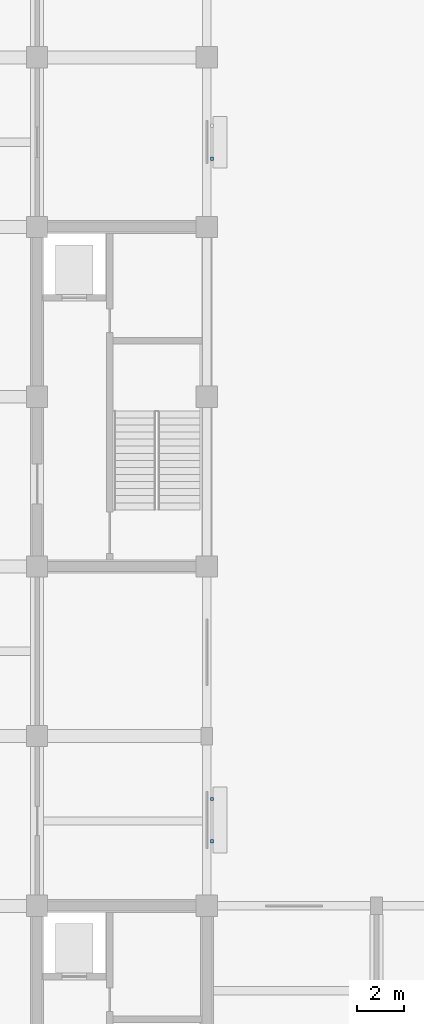
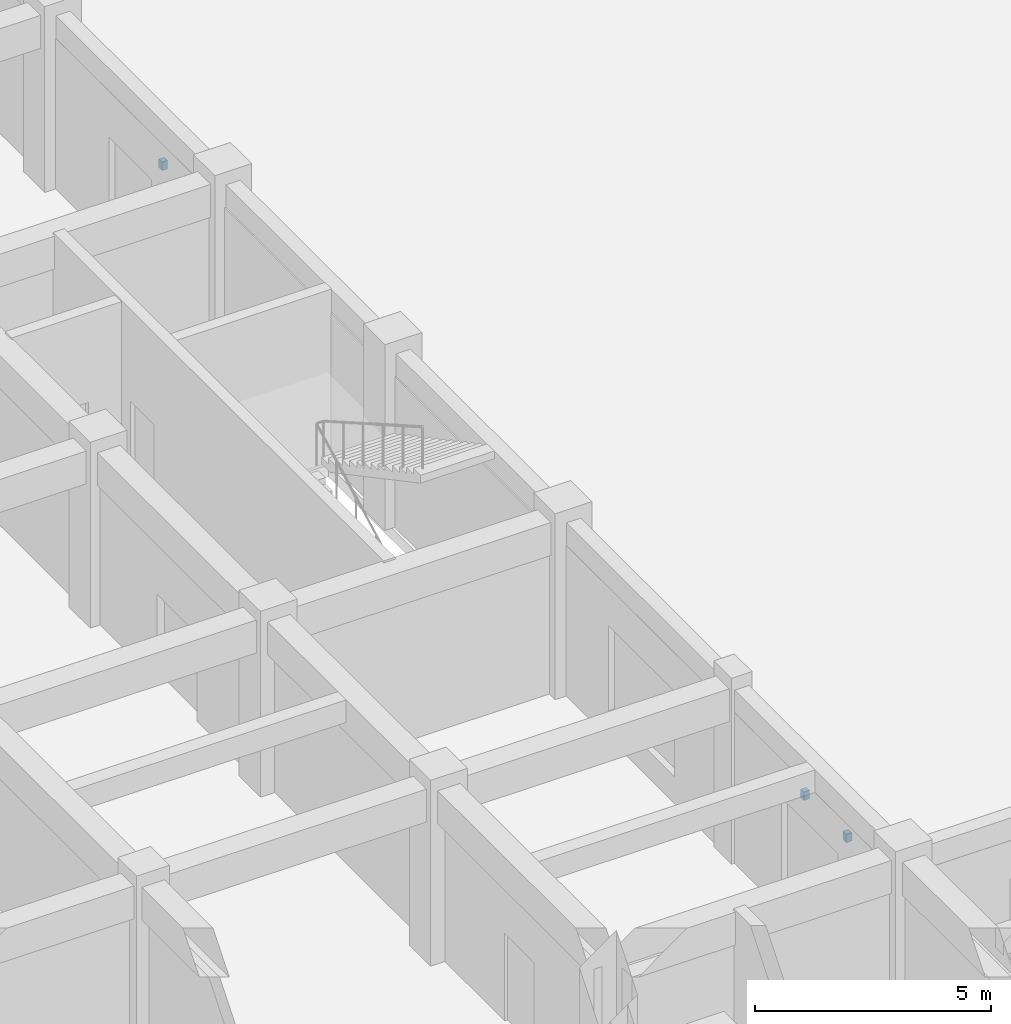
# One storey, part 27 of 37: 3 discrete accessories.
"""IFC4 building model written with IfcOpenShell, lengths in metres."""

import ifcopenshell
import ifcopenshell.guid

model = None  # the IFC model being written
_history = None  # IfcOwnerHistory: only IFC2X3 demands one
_inside = {}  # id of a spatial element -> (the spatial element, [elements in it])
_under = {}  # id of a project, library or spatial element -> (it, [spatial elements below it])
_declared = {}  # id of a project -> (the project, [libraries it declares])
_typed = {}  # id of a type object -> (the type object, [elements of that type])
_made_of = {}  # id of a material, layer set ... -> (it, [elements and type objects made of it])


def new_model(schema):
    """Start an empty IFC model of exactly this schema.

    Asked for "IFC4X3", IfcOpenShell would pick the latest addendum, in which some entities
    have other attributes; the version numbers below select the first issue.
    IFC2X3 requires an IfcOwnerHistory on every rooted entity: one is made here for all.
    """
    global model, _history
    if schema == "IFC4X3":
        model = ifcopenshell.file(schema_version=(4, 3, 0, 0))
    else:
        model = ifcopenshell.file(schema=schema)
    _inside.clear()
    _under.clear()
    _declared.clear()
    _typed.clear()
    _made_of.clear()
    _history = None
    if model.schema == "IFC2X3":
        org = make("IfcOrganization", Name="unknown")
        user = make(
            "IfcPersonAndOrganization",
            ThePerson=make("IfcPerson", FamilyName="unknown"),
            TheOrganization=org,
        )
        app = make(
            "IfcApplication",
            ApplicationDeveloper=org,
            Version="unknown",
            ApplicationFullName="unknown",
            ApplicationIdentifier="unknown",
        )
        _history = make(
            "IfcOwnerHistory",
            OwningUser=user,
            OwningApplication=app,
            ChangeAction="ADDED",
            CreationDate=0,
        )
    return model


def make(cls, **values):
    """One entity of the class cls with the attributes given. An attribute that is None is left unset."""
    return model.create_entity(
        cls, **{name: value for name, value in values.items() if value is not None}
    )


def rooted(cls, **values):
    """An entity with a GlobalId (a new one), such as an element, a storey or a relation."""
    return make(cls, GlobalId=ifcopenshell.guid.new(), OwnerHistory=_history, **values)


def si_unit(unit_type, name, prefix=None):
    """IfcSIUnit, for example si_unit("LENGTHUNIT", "METRE", prefix="MILLI")."""
    return make("IfcSIUnit", UnitType=unit_type, Prefix=prefix, Name=name)


def assignment(units):
    """IfcUnitAssignment: the units of a project."""
    return None if units is None else make("IfcUnitAssignment", Units=units)


def point(xyz):
    """IfcCartesianPoint."""
    return None if xyz is None else make("IfcCartesianPoint", Coordinates=xyz)


def direction(xyz):
    """IfcDirection."""
    return None if xyz is None else make("IfcDirection", DirectionRatios=xyz)


def frame(location, z_axis=None, x_axis=None):
    """IfcAxis2Placement3D, a coordinate frame: its origin and axes. An axis left out is left unset."""
    return make(
        "IfcAxis2Placement3D",
        Location=point(location),
        Axis=direction(z_axis),
        RefDirection=direction(x_axis),
    )


def frame_2d(location, x_axis=None):
    """IfcAxis2Placement2D, a coordinate frame in the plane: its origin and x axis."""
    return make(
        "IfcAxis2Placement2D", Location=point(location), RefDirection=direction(x_axis)
    )


def origin():
    """The frame at (0, 0, 0) with its axes left unset."""
    return frame((0.0, 0.0, 0.0))


def origin_2d():
    """The frame at (0, 0) in the plane with its x axis left unset."""
    return frame_2d((0.0, 0.0))


def place(relative_to, where):
    """IfcLocalPlacement: puts the frame where relative to a parent placement (None: the world)."""
    return make(
        "IfcLocalPlacement", PlacementRelTo=relative_to, RelativePlacement=where
    )


def context(
    kind, dimensions, precision=None, world=None, true_north=None, identifier=None
):
    """IfcGeometricRepresentationContext, for example the 3D "Model" context."""
    return make(
        "IfcGeometricRepresentationContext",
        ContextIdentifier=identifier,
        ContextType=kind,
        CoordinateSpaceDimension=dimensions,
        Precision=precision,
        WorldCoordinateSystem=world,
        TrueNorth=true_north,
    )


def subcontext(parent, identifier, kind, view, scale=None):
    """IfcGeometricRepresentationSubContext, for example "Body" below "Model"."""
    return make(
        "IfcGeometricRepresentationSubContext",
        ContextIdentifier=identifier,
        ContextType=kind,
        ParentContext=parent,
        TargetScale=scale,
        TargetView=view,
    )


def project(units=None, contexts=None):
    """IfcProject with its units and contexts."""
    return rooted(
        "IfcProject",
        Name="project",
        RepresentationContexts=contexts,
        UnitsInContext=assignment(units),
    )


def spatial(cls, under=None, at=None, **own):
    """A site, building, storey or space (cls), placed at a placement, below another one or the project."""
    s = rooted(cls, ObjectPlacement=at, **own)
    if under is not None:
        _under.setdefault(under.id(), (under, []))[1].append(s)
    return s


def profile(cls, at=None, kind="AREA", **sizes):
    """A parametric profile (cls). Its sizes go by their IFC names, for example OverallWidth=200.0."""
    return make(cls, ProfileType=kind, Position=at, **sizes)


def rectangle(**sizes):
    """IfcRectangleProfileDef."""
    return profile("IfcRectangleProfileDef", **sizes)


def extrude(swept, where, along, depth):
    """IfcExtrudedAreaSolid: the profile swept, set in the frame where, extruded along a direction by depth."""
    return make(
        "IfcExtrudedAreaSolid",
        SweptArea=swept,
        Position=where,
        ExtrudedDirection=direction(along),
        Depth=depth,
    )


def shape(context_of_items, identifier, shape_type, items):
    """IfcShapeRepresentation: the items that make up one representation, for example the "Body"."""
    return make(
        "IfcShapeRepresentation",
        ContextOfItems=context_of_items,
        RepresentationIdentifier=identifier,
        RepresentationType=shape_type,
        Items=items,
    )


def material(Name=None, Category=None):
    """IfcMaterial."""
    return make("IfcMaterial", Name=Name, Category=Category)


def made_of(thing, what):
    """Note that an element or type object is made of a material, layer set ...; save() writes the relation."""
    if what is not None:
        _made_of.setdefault(what.id(), (what, []))[1].append(thing)
    return thing


def type_object(cls, material=None, **own):
    """A type object (cls), such as IfcWallType, which elements share."""
    return made_of(rooted(cls, **own), material)


def element(
    cls,
    number,
    at=None,
    inside=None,
    cuts=None,
    type_object=None,
    material=None,
    context=None,
    identifier="Body",
    shape_type=None,
    held_by="IfcProductDefinitionShape",
    body=None,
    shapes=None,
    **own,
):
    """One element of the class cls, such as IfcWall. Its Tag is "e" and its number.

    at: its placement. inside: the storey or other place that contains it. cuts: it is an
    opening in that element (IfcRelVoidsElement). A single representation is given by context,
    identifier, shape_type and body (its items); several are given by shapes. held_by: the class
    of the entity that holds the representations. save() writes the other relations.
    """
    e = rooted(cls, Tag="e%d" % number, ObjectPlacement=at, **own)
    if body is not None:
        shapes = [shape(context, identifier, shape_type, body)]
    if shapes is not None:
        e.Representation = make(held_by, Representations=shapes)
    if inside is not None:
        _inside.setdefault(inside.id(), (inside, []))[1].append(e)
    if cuts is not None:
        rooted(
            "IfcRelVoidsElement", RelatingBuildingElement=cuts, RelatedOpeningElement=e
        )
    if type_object is not None:
        _typed.setdefault(type_object.id(), (type_object, []))[1].append(e)
    return made_of(e, material)


def aggregate(whole, parts):
    """IfcRelAggregates: a whole, such as a stair, and the parts it consists of."""
    return rooted("IfcRelAggregates", RelatingObject=whole, RelatedObjects=parts)


def save(model, path):
    """Write the relations noted so far, then the file.

    IfcRelAggregates (storeys below a building ...), IfcRelContainedInSpatialStructure (elements
    in a storey), IfcRelDefinesByType, IfcRelAssociatesMaterial and IfcRelDeclares: one each for
    every whole, place, type object, material and project.
    """
    for whole, parts in _under.values():
        aggregate(whole, parts)
    for where, things in _inside.values():
        rooted(
            "IfcRelContainedInSpatialStructure",
            RelatedElements=things,
            RelatingStructure=where,
        )
    for kind, things in _typed.values():
        rooted("IfcRelDefinesByType", RelatedObjects=things, RelatingType=kind)
    for what, things in _made_of.values():
        rooted("IfcRelAssociatesMaterial", RelatedObjects=things, RelatingMaterial=what)
    for by, libraries in _declared.values():
        rooted("IfcRelDeclares", RelatingContext=by, RelatedDefinitions=libraries)
    model.write(path)


model = new_model("IFC4")

# Units and contexts
model_context = context("Model", 3, precision=1e-05, world=origin(), true_north=direction((0.0, 1.0)))
body_context = subcontext(model_context, "Body", "Model", "MODEL_VIEW")
ifc_project = project(units=[si_unit("LENGTHUNIT", "METRE"), si_unit("AREAUNIT", "SQUARE_METRE"), si_unit("VOLUMEUNIT", "CUBIC_METRE"), si_unit("PLANEANGLEUNIT", "RADIAN"), si_unit("MASSUNIT", "GRAM", prefix="KILO")], contexts=[model_context])

# Site, building, storey
site_placement = place(None, origin())
site = spatial("IfcSite", under=ifc_project, at=site_placement, CompositionType="ELEMENT")
building_placement = place(site_placement, origin())
building = spatial("IfcBuilding", under=site, at=building_placement, Name="Cendaluz Park School", CompositionType="ELEMENT")
storey_placement = place(building_placement, origin())
storey = spatial("IfcBuildingStorey", under=building, at=storey_placement, Name="L00", CompositionType="ELEMENT", Elevation=0.0)

# Discrete accessories
ifc_material = material(Name="Steel S355", Category="steel")
discrete_accessory_type = type_object("IfcDiscreteAccessoryType", Name="BK-01", PredefinedType="BRACKET", material=ifc_material)
for number, where, z_axis, x_axis, name in (
    (1, (108.219970703125, 31.54150390625, 2.93017578125), (0.0, 0.0, 1.0), (0.0, 1.0, 0.0), "BK-L00-037"),
    (2, (108.219970703125, 33.33349609375, 2.93017578125), (0.0, 0.0, 1.0), (0.0, 1.0, 0.0), "BK-L00-038"),
    (3, (108.219970703125, 60.49609375, 2.72998046875), (0.0, 0.0, 1.0), (0.0, 1.0, 0.0), "BK-L00-039"),
):
    element("IfcDiscreteAccessory", number, at=place(storey_placement, frame(where, z_axis=z_axis, x_axis=x_axis)), inside=storey, type_object=discrete_accessory_type, Name=name, PredefinedType="BRACKET", context=body_context, shape_type="SweptSolid", body=[
        extrude(rectangle(XDim=0.139892578125, YDim=0.139892578125, at=origin_2d()), origin(), (0.0, 0.0, 1.0), 0.219970703125),
    ])

save(model, "model.ifc")
